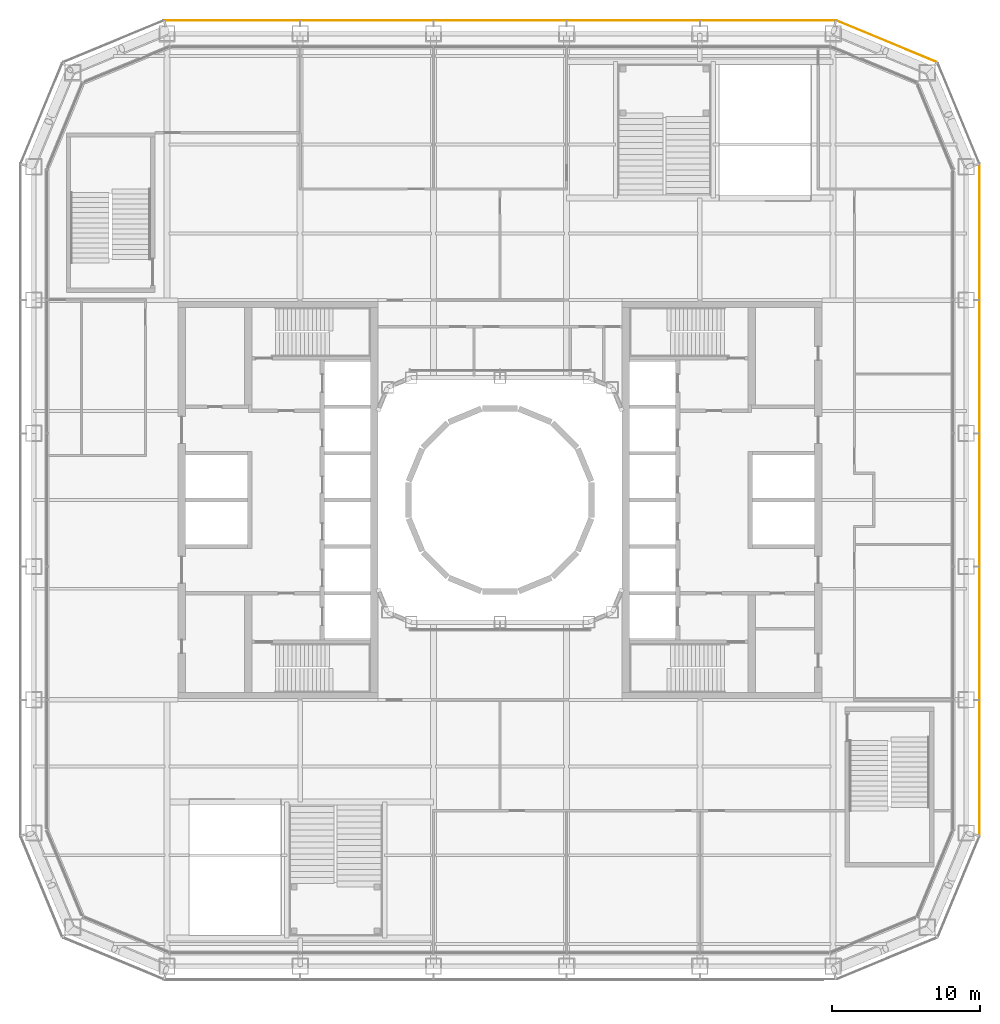
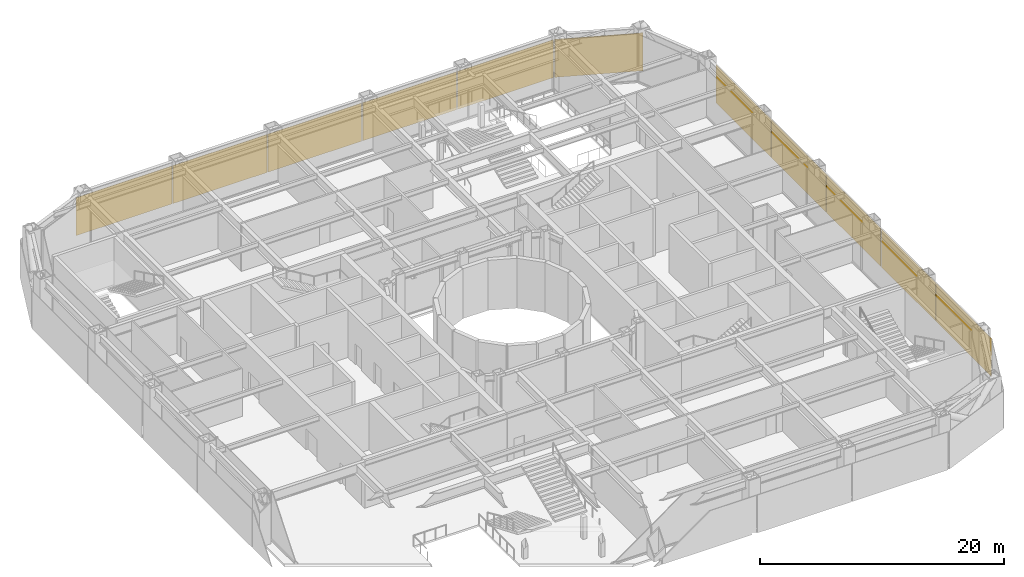
# One storey, part 25 of 25: 11 coverings.
"""IFC4 building model written with IfcOpenShell, lengths in metres."""

from ifc_helpers import new_model, si_unit, direction, frame, origin, origin_2d, place, context, subcontext, project, spatial, rectangle, extrude, material, layer, layer_set, type_object, element, save


model = new_model("IFC4")

# Units and contexts
model_context = context("Model", 3, precision=1e-05, world=origin(), true_north=direction((0.0, 1.0)))
body_context = subcontext(model_context, "Body", "Model", "MODEL_VIEW")
ifc_project = project(units=[si_unit("LENGTHUNIT", "METRE"), si_unit("AREAUNIT", "SQUARE_METRE"), si_unit("VOLUMEUNIT", "CUBIC_METRE"), si_unit("PLANEANGLEUNIT", "RADIAN"), si_unit("MASSUNIT", "GRAM", prefix="KILO")], contexts=[model_context])

# Site, building, storey
site_placement = place(None, origin())
site = spatial("IfcSite", under=ifc_project, at=site_placement, CompositionType="ELEMENT")
building_placement = place(site_placement, origin())
building = spatial("IfcBuilding", under=site, at=building_placement, Name="Siwar Civic Tower", CompositionType="ELEMENT")
storey_placement = place(building_placement, frame((0.0, 0.0, 7.199951171875)))
storey = spatial("IfcBuildingStorey", under=building, at=storey_placement, Name="L01", CompositionType="ELEMENT", Elevation=7.199951171875)

# Coverings
ifc_material = material(Name="Perforated aluminium cassette, pale metal", Category="aluminium")
ifc_layer = layer(ifc_material, 0.0400390625)
ifc_layer_set = layer_set([ifc_layer], Name="Perforated aluminium cassette, pale metal")
covering_type = type_object("IfcCoveringType", Name="ENV-OUTER SKIN OS-1", PredefinedType="CLADDING", material=ifc_layer_set)
covering_1_placement = place(storey_placement, frame((32.39990234375, -18.07958984375, -0.2001953125), z_axis=(0.0, 0.0, 1.0), x_axis=(0.0, 1.0, 0.0)))
element("IfcCovering", 1, at=covering_1_placement, inside=storey, type_object=covering_type, Name="OUTER SKIN OS-1 E 1", PredefinedType="CLADDING", context=body_context, shape_type="SweptSolid", body=[
    extrude(rectangle(XDim=9.05908203125, YDim=0.0400390625, at=origin_2d()), origin(), (0.0, 0.0, 1.0), 3.800048828125),
])
for number, where, z_axis, x_axis, name in (
    (2, (32.39990234375, -9.0, -0.2001953125), (0.0, 0.0, 1.0), (0.0, 1.0, 0.0), "OUTER SKIN OS-1 E 2"),
    (3, (32.39990234375, 0.0, -0.2001953125), (0.0, 0.0, 1.0), (0.0, 1.0, 0.0), "OUTER SKIN OS-1 E 3"),
    (4, (32.39990234375, 9.0, -0.2001953125), (0.0, 0.0, 1.0), (0.0, 1.0, 0.0), "OUTER SKIN OS-1 E 4"),
):
    element("IfcCovering", number, at=place(storey_placement, frame(where, z_axis=z_axis, x_axis=x_axis)), inside=storey, type_object=covering_type, Name=name, PredefinedType="CLADDING", context=body_context, shape_type="SweptSolid", body=[
        extrude(rectangle(XDim=8.89990234375, YDim=0.0400390625, at=origin_2d()), origin(), (0.0, 0.0, 1.0), 3.800048828125),
    ])
covering_2_placement = place(storey_placement, frame((32.39990234375, 18.07958984375, -0.2001953125), z_axis=(0.0, 0.0, 1.0), x_axis=(0.0, 1.0, 0.0)))
element("IfcCovering", 5, at=covering_2_placement, inside=storey, type_object=covering_type, Name="OUTER SKIN OS-1 E 5", PredefinedType="CLADDING", context=body_context, shape_type="SweptSolid", body=[
    extrude(rectangle(XDim=9.05908203125, YDim=0.0400390625, at=origin_2d()), origin(), (0.0, 0.0, 1.0), 3.800048828125),
])
covering_3_placement = place(storey_placement, frame((26.115966796875, 30.976318359375, -0.2001953125), z_axis=(0.0, 0.0, 1.0), x_axis=(-0.923879532511, 0.382683432365, 0.0)))
element("IfcCovering", 6, at=covering_3_placement, inside=storey, type_object=covering_type, Name="OUTER SKIN OS-1 NE2 1", PredefinedType="CLADDING", context=body_context, shape_type="SweptSolid", body=[
    extrude(rectangle(XDim=7.300048828125, YDim=0.0400390625, at=origin_2d()), origin(), (0.0, 0.0, 1.0), 3.800048828125),
])
covering_4_placement = place(storey_placement, frame((18.07958984375, 32.39990234375, -0.2001953125), z_axis=(0.0, 0.0, 1.0), x_axis=(-1.0, 0.0, 0.0)))
element("IfcCovering", 7, at=covering_4_placement, inside=storey, type_object=covering_type, Name="OUTER SKIN OS-1 N 1", PredefinedType="CLADDING", context=body_context, shape_type="SweptSolid", body=[
    extrude(rectangle(XDim=9.05908203125, YDim=0.0400390625, at=origin_2d()), origin(), (0.0, 0.0, 1.0), 3.800048828125),
])
for number, where, z_axis, x_axis, name in (
    (8, (9.0, 32.39990234375, -0.2001953125), (0.0, 0.0, 1.0), (-1.0, 0.0, 0.0), "OUTER SKIN OS-1 N 2"),
    (9, (0.0, 32.39990234375, -0.2001953125), (0.0, 0.0, 1.0), (-1.0, 0.0, 0.0), "OUTER SKIN OS-1 N 3"),
    (10, (-9.0, 32.39990234375, -0.2001953125), (0.0, 0.0, 1.0), (-1.0, 0.0, 0.0), "OUTER SKIN OS-1 N 4"),
):
    element("IfcCovering", number, at=place(storey_placement, frame(where, z_axis=z_axis, x_axis=x_axis)), inside=storey, type_object=covering_type, Name=name, PredefinedType="CLADDING", context=body_context, shape_type="SweptSolid", body=[
        extrude(rectangle(XDim=8.89990234375, YDim=0.0400390625, at=origin_2d()), origin(), (0.0, 0.0, 1.0), 3.800048828125),
    ])
covering_5_placement = place(storey_placement, frame((-18.07958984375, 32.39990234375, -0.2001953125), z_axis=(0.0, 0.0, 1.0), x_axis=(-1.0, 0.0, 0.0)))
element("IfcCovering", 11, at=covering_5_placement, inside=storey, type_object=covering_type, Name="OUTER SKIN OS-1 N 5", PredefinedType="CLADDING", context=body_context, shape_type="SweptSolid", body=[
    extrude(rectangle(XDim=9.05908203125, YDim=0.0400390625, at=origin_2d()), origin(), (0.0, 0.0, 1.0), 3.800048828125),
])

save(model, "model.ifc")
